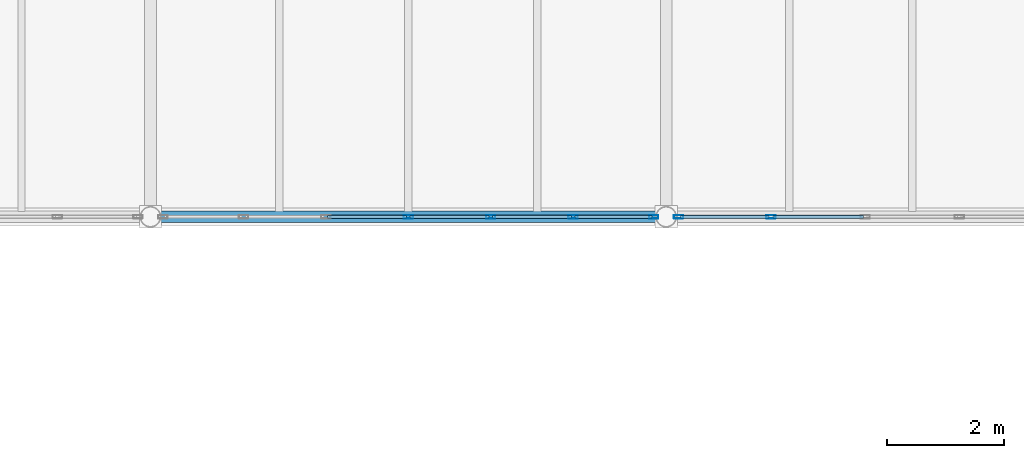
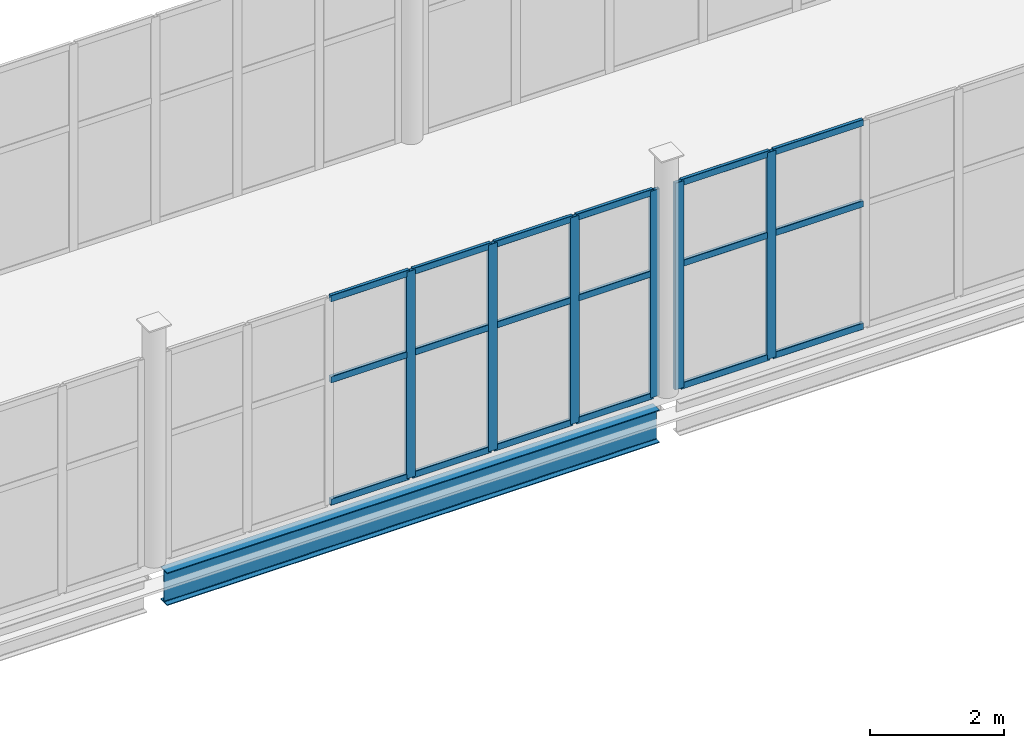
# One storey, part 54 of 172: 24 members, 1 beam, 2 elements without a shape of their own.
"""IFC4 building model written with IfcOpenShell, lengths in metres."""

from ifc_helpers import new_model, si_unit, direction, frame, origin, origin_2d, place, context, subcontext, project, spatial, hollow_rectangle, i_section, extrude, material, material_profile, profile_set, type_object, element, aggregate, save


model = new_model("IFC4")

# Units and contexts
model_context = context("Model", 3, precision=1e-05, world=origin(), true_north=direction((0.0, 1.0)))
body_context = subcontext(model_context, "Body", "Model", "MODEL_VIEW")
ifc_project = project(units=[si_unit("LENGTHUNIT", "METRE"), si_unit("AREAUNIT", "SQUARE_METRE"), si_unit("VOLUMEUNIT", "CUBIC_METRE"), si_unit("PLANEANGLEUNIT", "RADIAN"), si_unit("MASSUNIT", "GRAM", prefix="KILO")], contexts=[model_context])

# Site, building, storey
site_placement = place(None, origin())
site = spatial("IfcSite", under=ifc_project, at=site_placement, CompositionType="ELEMENT")
building_placement = place(site_placement, origin())
building = spatial("IfcBuilding", under=site, at=building_placement, Name="Shengluoqiao Park Theatre", CompositionType="ELEMENT")
storey_placement = place(building_placement, frame((0.0, 0.0, 5.39990234375)))
storey = spatial("IfcBuildingStorey", under=building, at=storey_placement, Name="L01", CompositionType="ELEMENT", Elevation=5.39990234375)

# Curtain wall, members
ifc_material_1 = material(Name="Aluminium 6063-T6", Category="aluminium")
curtain_wall_type = type_object("IfcCurtainWallType", Name="ENV-CW-BRIDGE", PredefinedType="NOTDEFINED", material=ifc_material_1)
curtain_wall_1_placement = place(storey_placement, origin())
curtain_wall_1 = element("IfcCurtainWall", 1, at=curtain_wall_1_placement, inside=storey, type_object=curtain_wall_type, Name="L01 Curtain Wall CWX-L01-0129", PredefinedType="NOTDEFINED")
ifc_material_profile_1 = material_profile(ifc_material_1, hollow_rectangle(XDim=0.06005859375, YDim=0.159912109375, WallThickness=0.00390625, InnerFilletRadius=0.00390625, OuterFilletRadius=0.008056640625, at=origin_2d()), Name="ALU MULLION 160x60x4")
ifc_profile_set_1 = profile_set([ifc_material_profile_1], Name="Aluminium 6063-T6")
member_type_1 = type_object("IfcMemberType", Name="ENV-MUL-160", PredefinedType="MULLION", material=ifc_profile_set_1)
member_1_placement = place(storey_placement, frame((99.60009765625, 53.199951171875, 0.0), z_axis=(0.0, 0.0, 1.0), x_axis=(0.0, 1.0, 0.0)))
member_1 = element("IfcMember", 2, at=member_1_placement, type_object=member_type_1, Name="CW-03 mullion 4", PredefinedType="MULLION", context=body_context, shape_type="SweptSolid", body=[
    extrude(hollow_rectangle(XDim=0.06005859375, YDim=0.159912109375, WallThickness=0.00390625, InnerFilletRadius=0.00390625, OuterFilletRadius=0.008056640625, at=origin_2d()), origin(), (0.0, 0.0, 1.0), 3.752197265625),
])
member_2_placement = place(storey_placement, frame((101.006103515625, 53.199951171875, 0.0), z_axis=(0.0, 0.0, 1.0), x_axis=(0.0, 1.0, 0.0)))
member_2 = element("IfcMember", 3, at=member_2_placement, type_object=member_type_1, Name="CW-03 mullion 5", PredefinedType="MULLION", context=body_context, shape_type="SweptSolid", body=[
    extrude(hollow_rectangle(XDim=0.06005859375, YDim=0.159912109375, WallThickness=0.00390625, InnerFilletRadius=0.00390625, OuterFilletRadius=0.008056640625, at=origin_2d()), origin(), (0.0, 0.0, 1.0), 3.752197265625),
])
member_3_placement = place(storey_placement, frame((102.412109375, 53.199951171875, 0.0), z_axis=(0.0, 0.0, 1.0), x_axis=(0.0, 1.0, 0.0)))
member_3 = element("IfcMember", 4, at=member_3_placement, type_object=member_type_1, Name="CW-03 mullion 6", PredefinedType="MULLION", context=body_context, shape_type="SweptSolid", body=[
    extrude(hollow_rectangle(XDim=0.06005859375, YDim=0.159912109375, WallThickness=0.00390625, InnerFilletRadius=0.00390625, OuterFilletRadius=0.008056640625, at=origin_2d()), origin(), (0.0, 0.0, 1.0), 3.752197265625),
])
member_4_placement = place(storey_placement, frame((103.7880859375, 53.199951171875, 0.0), z_axis=(0.0, 0.0, 1.0), x_axis=(0.0, 1.0, 0.0)))
member_4 = element("IfcMember", 5, at=member_4_placement, type_object=member_type_1, Name="CW-03 mullion 7", PredefinedType="MULLION", context=body_context, shape_type="SweptSolid", body=[
    extrude(hollow_rectangle(XDim=0.06005859375, YDim=0.159912109375, WallThickness=0.00390625, InnerFilletRadius=0.00390625, OuterFilletRadius=0.008056640625, at=origin_2d()), origin(), (0.0, 0.0, 1.0), 3.752197265625),
])

curtain_wall_2_placement = place(storey_placement, origin())
curtain_wall_2 = element("IfcCurtainWall", 6, at=curtain_wall_2_placement, inside=storey, type_object=curtain_wall_type, Name="L01 Curtain Wall CWX-L01-0130", PredefinedType="NOTDEFINED")
member_5_placement = place(storey_placement, frame((104.2119140625, 53.199951171875, 0.0), z_axis=(0.0, 0.0, 1.0), x_axis=(0.0, 1.0, 0.0)))
member_5 = element("IfcMember", 7, at=member_5_placement, type_object=member_type_1, Name="CW-03 mullion 1", PredefinedType="MULLION", context=body_context, shape_type="SweptSolid", body=[
    extrude(hollow_rectangle(XDim=0.06005859375, YDim=0.159912109375, WallThickness=0.00390625, InnerFilletRadius=0.00390625, OuterFilletRadius=0.008056640625, at=origin_2d()), origin(), (0.0, 0.0, 1.0), 3.752197265625),
])
member_6_placement = place(storey_placement, frame((105.789306640625, 53.199951171875, 0.0), z_axis=(0.0, 0.0, 1.0), x_axis=(0.0, 1.0, 0.0)))
member_6 = element("IfcMember", 8, at=member_6_placement, type_object=member_type_1, Name="CW-03 mullion 2", PredefinedType="MULLION", context=body_context, shape_type="SweptSolid", body=[
    extrude(hollow_rectangle(XDim=0.06005859375, YDim=0.159912109375, WallThickness=0.00390625, InnerFilletRadius=0.00390625, OuterFilletRadius=0.008056640625, at=origin_2d()), origin(), (0.0, 0.0, 1.0), 3.752197265625),
])

# Member
ifc_material_profile_2 = material_profile(ifc_material_1, hollow_rectangle(XDim=0.06005859375, YDim=0.1201171875, WallThickness=0.00390625, InnerFilletRadius=0.00390625, OuterFilletRadius=0.008056640625, at=origin_2d()), Name="ALU TRANSOM 120x60x4")
ifc_profile_set_2 = profile_set([ifc_material_profile_2], Name="Aluminium 6063-T6")
member_type_2 = type_object("IfcMemberType", Name="ENV-TRN-120", PredefinedType="USERDEFINED", material=ifc_profile_set_2)
member_7_placement = place(storey_placement, frame((98.22412109375, 53.199951171875, 0.030029296875), z_axis=(1.0, 0.0, 0.0), x_axis=(0.0, 1.0, 0.0)))
member_7 = element("IfcMember", 9, at=member_7_placement, type_object=member_type_2, Name="CW-03 transom 3.1", ObjectType="TRANSOM", PredefinedType="USERDEFINED", context=body_context, shape_type="SweptSolid", body=[
    extrude(hollow_rectangle(XDim=0.06005859375, YDim=0.1201171875, WallThickness=0.00390625, InnerFilletRadius=0.00390625, OuterFilletRadius=0.008056640625, at=origin_2d()), origin(), (0.0, 0.0, 1.0), 1.345947265625),
])

member_8_placement = place(storey_placement, frame((98.22412109375, 53.199951171875, 2.2509765625), z_axis=(1.0, 0.0, 0.0), x_axis=(0.0, 1.0, 0.0)))
member_8 = element("IfcMember", 10, at=member_8_placement, type_object=member_type_2, Name="CW-03 transom 3.2", ObjectType="TRANSOM", PredefinedType="USERDEFINED", context=body_context, shape_type="SweptSolid", body=[
    extrude(hollow_rectangle(XDim=0.06005859375, YDim=0.1201171875, WallThickness=0.00390625, InnerFilletRadius=0.00390625, OuterFilletRadius=0.008056640625, at=origin_2d()), origin(), (0.0, 0.0, 1.0), 1.345947265625),
])

member_9_placement = place(storey_placement, frame((98.22412109375, 53.199951171875, 3.72216796875), z_axis=(1.0, 0.0, 0.0), x_axis=(0.0, 1.0, 0.0)))
member_9 = element("IfcMember", 11, at=member_9_placement, type_object=member_type_2, Name="CW-03 transom 3.3", ObjectType="TRANSOM", PredefinedType="USERDEFINED", context=body_context, shape_type="SweptSolid", body=[
    extrude(hollow_rectangle(XDim=0.06005859375, YDim=0.1201171875, WallThickness=0.00390625, InnerFilletRadius=0.00390625, OuterFilletRadius=0.008056640625, at=origin_2d()), origin(), (0.0, 0.0, 1.0), 1.345947265625),
])

member_10_placement = place(storey_placement, frame((99.6298828125, 53.199951171875, 0.030029296875), z_axis=(1.0, 0.0, 0.0), x_axis=(0.0, 1.0, 0.0)))
member_10 = element("IfcMember", 12, at=member_10_placement, type_object=member_type_2, Name="CW-03 transom 4.1", ObjectType="TRANSOM", PredefinedType="USERDEFINED", context=body_context, shape_type="SweptSolid", body=[
    extrude(hollow_rectangle(XDim=0.06005859375, YDim=0.1201171875, WallThickness=0.00390625, InnerFilletRadius=0.00390625, OuterFilletRadius=0.008056640625, at=origin_2d()), origin(), (0.0, 0.0, 1.0), 1.34619140625),
])

member_11_placement = place(storey_placement, frame((99.6298828125, 53.199951171875, 2.2509765625), z_axis=(1.0, 0.0, 0.0), x_axis=(0.0, 1.0, 0.0)))
member_11 = element("IfcMember", 13, at=member_11_placement, type_object=member_type_2, Name="CW-03 transom 4.2", ObjectType="TRANSOM", PredefinedType="USERDEFINED", context=body_context, shape_type="SweptSolid", body=[
    extrude(hollow_rectangle(XDim=0.06005859375, YDim=0.1201171875, WallThickness=0.00390625, InnerFilletRadius=0.00390625, OuterFilletRadius=0.008056640625, at=origin_2d()), origin(), (0.0, 0.0, 1.0), 1.34619140625),
])

member_12_placement = place(storey_placement, frame((99.6298828125, 53.199951171875, 3.72216796875), z_axis=(1.0, 0.0, 0.0), x_axis=(0.0, 1.0, 0.0)))
member_12 = element("IfcMember", 14, at=member_12_placement, type_object=member_type_2, Name="CW-03 transom 4.3", ObjectType="TRANSOM", PredefinedType="USERDEFINED", context=body_context, shape_type="SweptSolid", body=[
    extrude(hollow_rectangle(XDim=0.06005859375, YDim=0.1201171875, WallThickness=0.00390625, InnerFilletRadius=0.00390625, OuterFilletRadius=0.008056640625, at=origin_2d()), origin(), (0.0, 0.0, 1.0), 1.34619140625),
])

member_13_placement = place(storey_placement, frame((101.035888671875, 53.199951171875, 0.030029296875), z_axis=(1.0, 0.0, 0.0), x_axis=(0.0, 1.0, 0.0)))
member_13 = element("IfcMember", 15, at=member_13_placement, type_object=member_type_2, Name="CW-03 transom 5.1", ObjectType="TRANSOM", PredefinedType="USERDEFINED", context=body_context, shape_type="SweptSolid", body=[
    extrude(hollow_rectangle(XDim=0.06005859375, YDim=0.1201171875, WallThickness=0.00390625, InnerFilletRadius=0.00390625, OuterFilletRadius=0.008056640625, at=origin_2d()), origin(), (0.0, 0.0, 1.0), 1.34619140625),
])

member_14_placement = place(storey_placement, frame((101.035888671875, 53.199951171875, 2.2509765625), z_axis=(1.0, 0.0, 0.0), x_axis=(0.0, 1.0, 0.0)))
member_14 = element("IfcMember", 16, at=member_14_placement, type_object=member_type_2, Name="CW-03 transom 5.2", ObjectType="TRANSOM", PredefinedType="USERDEFINED", context=body_context, shape_type="SweptSolid", body=[
    extrude(hollow_rectangle(XDim=0.06005859375, YDim=0.1201171875, WallThickness=0.00390625, InnerFilletRadius=0.00390625, OuterFilletRadius=0.008056640625, at=origin_2d()), origin(), (0.0, 0.0, 1.0), 1.34619140625),
])

member_15_placement = place(storey_placement, frame((101.035888671875, 53.199951171875, 3.72216796875), z_axis=(1.0, 0.0, 0.0), x_axis=(0.0, 1.0, 0.0)))
member_15 = element("IfcMember", 17, at=member_15_placement, type_object=member_type_2, Name="CW-03 transom 5.3", ObjectType="TRANSOM", PredefinedType="USERDEFINED", context=body_context, shape_type="SweptSolid", body=[
    extrude(hollow_rectangle(XDim=0.06005859375, YDim=0.1201171875, WallThickness=0.00390625, InnerFilletRadius=0.00390625, OuterFilletRadius=0.008056640625, at=origin_2d()), origin(), (0.0, 0.0, 1.0), 1.34619140625),
])

member_16_placement = place(storey_placement, frame((102.44189453125, 53.199951171875, 0.030029296875), z_axis=(1.0, 0.0, 0.0), x_axis=(0.0, 1.0, 0.0)))
member_16 = element("IfcMember", 18, at=member_16_placement, type_object=member_type_2, Name="CW-03 transom 6.1", ObjectType="TRANSOM", PredefinedType="USERDEFINED", context=body_context, shape_type="SweptSolid", body=[
    extrude(hollow_rectangle(XDim=0.06005859375, YDim=0.1201171875, WallThickness=0.00390625, InnerFilletRadius=0.00390625, OuterFilletRadius=0.008056640625, at=origin_2d()), origin(), (0.0, 0.0, 1.0), 1.316162109375),
])

member_17_placement = place(storey_placement, frame((102.44189453125, 53.199951171875, 2.2509765625), z_axis=(1.0, 0.0, 0.0), x_axis=(0.0, 1.0, 0.0)))
member_17 = element("IfcMember", 19, at=member_17_placement, type_object=member_type_2, Name="CW-03 transom 6.2", ObjectType="TRANSOM", PredefinedType="USERDEFINED", context=body_context, shape_type="SweptSolid", body=[
    extrude(hollow_rectangle(XDim=0.06005859375, YDim=0.1201171875, WallThickness=0.00390625, InnerFilletRadius=0.00390625, OuterFilletRadius=0.008056640625, at=origin_2d()), origin(), (0.0, 0.0, 1.0), 1.316162109375),
])

member_18_placement = place(storey_placement, frame((102.44189453125, 53.199951171875, 3.72216796875), z_axis=(1.0, 0.0, 0.0), x_axis=(0.0, 1.0, 0.0)))
member_18 = element("IfcMember", 20, at=member_18_placement, type_object=member_type_2, Name="CW-03 transom 6.3", ObjectType="TRANSOM", PredefinedType="USERDEFINED", context=body_context, shape_type="SweptSolid", body=[
    extrude(hollow_rectangle(XDim=0.06005859375, YDim=0.1201171875, WallThickness=0.00390625, InnerFilletRadius=0.00390625, OuterFilletRadius=0.008056640625, at=origin_2d()), origin(), (0.0, 0.0, 1.0), 1.316162109375),
])

aggregate(curtain_wall_1, [member_1, member_2, member_3, member_4, member_7, member_8, member_9, member_10, member_11, member_12, member_13, member_14, member_15, member_16, member_17, member_18])

member_19_placement = place(storey_placement, frame((104.241943359375, 53.199951171875, 0.030029296875), z_axis=(1.0, 0.0, 0.0), x_axis=(0.0, 1.0, 0.0)))
member_19 = element("IfcMember", 21, at=member_19_placement, type_object=member_type_2, Name="CW-03 transom 1.1", ObjectType="TRANSOM", PredefinedType="USERDEFINED", context=body_context, shape_type="SweptSolid", body=[
    extrude(hollow_rectangle(XDim=0.06005859375, YDim=0.1201171875, WallThickness=0.00390625, InnerFilletRadius=0.00390625, OuterFilletRadius=0.008056640625, at=origin_2d()), origin(), (0.0, 0.0, 1.0), 1.517333984375),
])

member_20_placement = place(storey_placement, frame((104.241943359375, 53.199951171875, 2.2509765625), z_axis=(1.0, 0.0, 0.0), x_axis=(0.0, 1.0, 0.0)))
member_20 = element("IfcMember", 22, at=member_20_placement, type_object=member_type_2, Name="CW-03 transom 1.2", ObjectType="TRANSOM", PredefinedType="USERDEFINED", context=body_context, shape_type="SweptSolid", body=[
    extrude(hollow_rectangle(XDim=0.06005859375, YDim=0.1201171875, WallThickness=0.00390625, InnerFilletRadius=0.00390625, OuterFilletRadius=0.008056640625, at=origin_2d()), origin(), (0.0, 0.0, 1.0), 1.517333984375),
])

member_21_placement = place(storey_placement, frame((104.241943359375, 53.199951171875, 3.72216796875), z_axis=(1.0, 0.0, 0.0), x_axis=(0.0, 1.0, 0.0)))
member_21 = element("IfcMember", 23, at=member_21_placement, type_object=member_type_2, Name="CW-03 transom 1.3", ObjectType="TRANSOM", PredefinedType="USERDEFINED", context=body_context, shape_type="SweptSolid", body=[
    extrude(hollow_rectangle(XDim=0.06005859375, YDim=0.1201171875, WallThickness=0.00390625, InnerFilletRadius=0.00390625, OuterFilletRadius=0.008056640625, at=origin_2d()), origin(), (0.0, 0.0, 1.0), 1.517333984375),
])

member_22_placement = place(storey_placement, frame((105.819091796875, 53.199951171875, 0.030029296875), z_axis=(1.0, 0.0, 0.0), x_axis=(0.0, 1.0, 0.0)))
member_22 = element("IfcMember", 24, at=member_22_placement, type_object=member_type_2, Name="CW-03 transom 2.1", ObjectType="TRANSOM", PredefinedType="USERDEFINED", context=body_context, shape_type="SweptSolid", body=[
    extrude(hollow_rectangle(XDim=0.06005859375, YDim=0.1201171875, WallThickness=0.00390625, InnerFilletRadius=0.00390625, OuterFilletRadius=0.008056640625, at=origin_2d()), origin(), (0.0, 0.0, 1.0), 1.54736328125),
])

member_23_placement = place(storey_placement, frame((105.819091796875, 53.199951171875, 2.2509765625), z_axis=(1.0, 0.0, 0.0), x_axis=(0.0, 1.0, 0.0)))
member_23 = element("IfcMember", 25, at=member_23_placement, type_object=member_type_2, Name="CW-03 transom 2.2", ObjectType="TRANSOM", PredefinedType="USERDEFINED", context=body_context, shape_type="SweptSolid", body=[
    extrude(hollow_rectangle(XDim=0.06005859375, YDim=0.1201171875, WallThickness=0.00390625, InnerFilletRadius=0.00390625, OuterFilletRadius=0.008056640625, at=origin_2d()), origin(), (0.0, 0.0, 1.0), 1.54736328125),
])

member_24_placement = place(storey_placement, frame((105.819091796875, 53.199951171875, 3.72216796875), z_axis=(1.0, 0.0, 0.0), x_axis=(0.0, 1.0, 0.0)))
member_24 = element("IfcMember", 26, at=member_24_placement, type_object=member_type_2, Name="CW-03 transom 2.3", ObjectType="TRANSOM", PredefinedType="USERDEFINED", context=body_context, shape_type="SweptSolid", body=[
    extrude(hollow_rectangle(XDim=0.06005859375, YDim=0.1201171875, WallThickness=0.00390625, InnerFilletRadius=0.00390625, OuterFilletRadius=0.008056640625, at=origin_2d()), origin(), (0.0, 0.0, 1.0), 1.54736328125),
])

aggregate(curtain_wall_2, [member_5, member_6, member_19, member_20, member_21, member_22, member_23, member_24])

# Beam
ifc_material_2 = material(Name="Steel Q355", Category="steel")
ifc_material_profile_3 = material_profile(ifc_material_2, i_section(OverallWidth=0.198974609375, OverallDepth=0.595947265625, WebThickness=0.010009765625, FlangeThickness=0.014892578125, FilletRadius=0.02001953125, at=origin_2d()), Name="HN 596x199x10x15")
ifc_profile_set_3 = profile_set([ifc_material_profile_3], Name="Steel Q355")
beam_type = type_object("IfcBeamType", Name="STR-BM-SP-HN596", PredefinedType="SPANDREL", material=ifc_profile_set_3)
beam_placement = place(storey_placement, frame((95.3720703125, 53.199951171875, -0.5078125), z_axis=(1.0, 0.0, 0.0), x_axis=(0.0, 1.0, 0.0)))
element("IfcBeam", 27, at=beam_placement, inside=storey, type_object=beam_type, Name="L01 Primary Girder 00567", PredefinedType="SPANDREL", context=body_context, shape_type="SweptSolid", body=[
    extrude(i_section(OverallWidth=0.198974609375, OverallDepth=0.595947265625, WebThickness=0.010009765625, FlangeThickness=0.014892578125, FilletRadius=0.02001953125, at=origin_2d()), origin(), (0.0, 0.0, 1.0), 8.455810546875),
])

save(model, "model.ifc")
